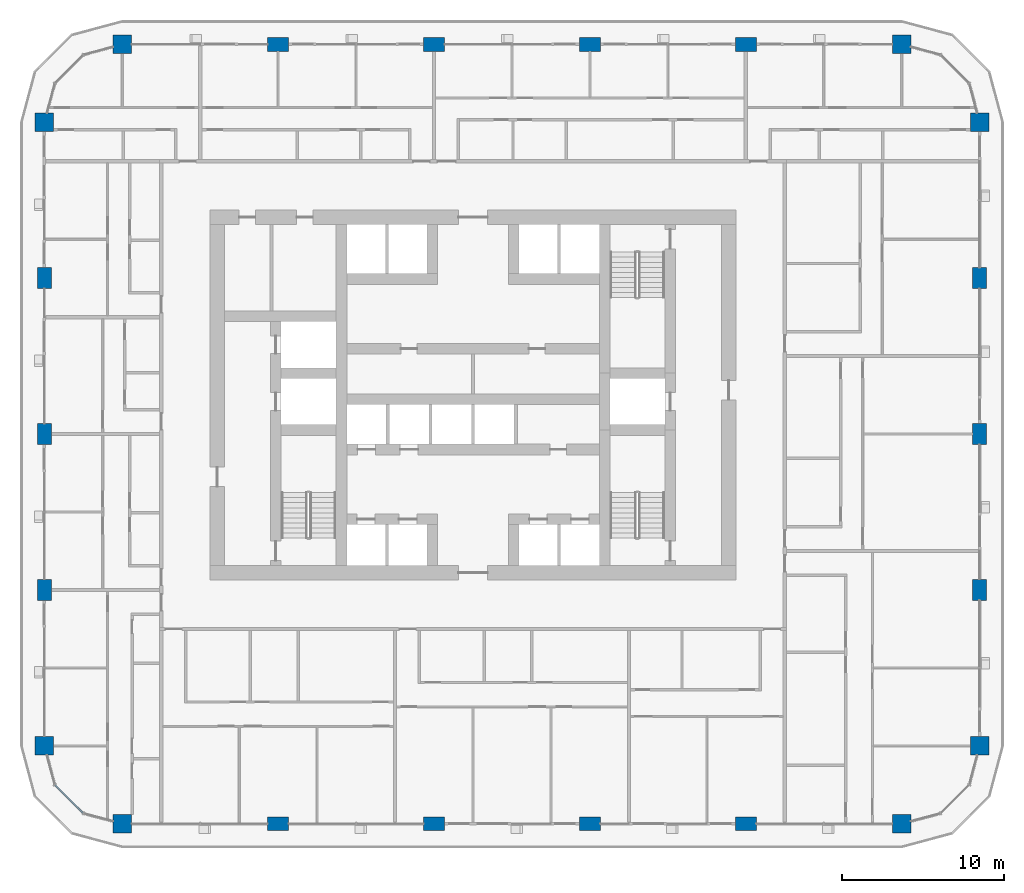
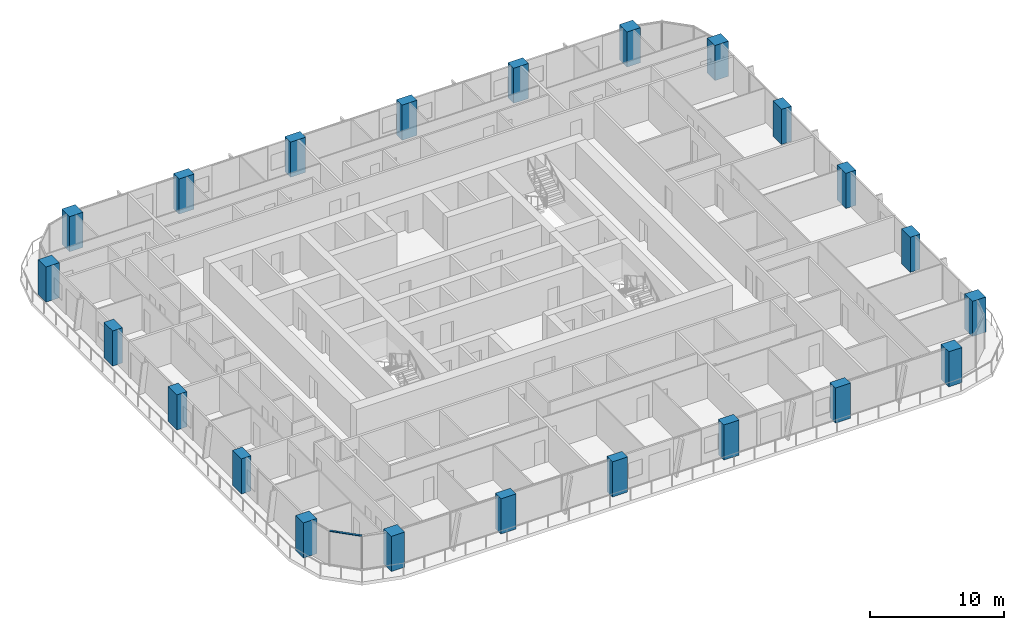
# One storey, part 1 of 22: 22 columns, 1 member, 1 element without a shape of its own.
"""IFC4 building model written with IfcOpenShell, lengths in metres."""

from ifc_helpers import new_model, si_unit, direction, frame, origin, origin_2d, place, context, subcontext, project, spatial, rectangle, extrude, material, layer, layer_set, material_profile, profile_set, type_object, element, aggregate, save


model = new_model("IFC4")

# Units and contexts
model_context = context("Model", 3, precision=1e-05, world=origin(), true_north=direction((0.0, 1.0)))
body_context = subcontext(model_context, "Body", "Model", "MODEL_VIEW")
ifc_project = project(units=[si_unit("LENGTHUNIT", "METRE"), si_unit("AREAUNIT", "SQUARE_METRE"), si_unit("VOLUMEUNIT", "CUBIC_METRE"), si_unit("PLANEANGLEUNIT", "RADIAN"), si_unit("MASSUNIT", "GRAM", prefix="KILO")], contexts=[model_context])

# Site, building, storey
site_placement = place(None, origin())
site = spatial("IfcSite", under=ifc_project, at=site_placement, CompositionType="ELEMENT")
building_placement = place(site_placement, origin())
building = spatial("IfcBuilding", under=site, at=building_placement, Name="Madar Terraces", CompositionType="ELEMENT")
storey_placement = place(building_placement, frame((0.0, 0.0, 62.800048828125)))
storey = spatial("IfcBuildingStorey", under=building, at=storey_placement, Name="L15", CompositionType="ELEMENT", Elevation=62.800048828125)

# Columns
ifc_material_1 = material(Name="Concrete C80/95", Category="concrete")
ifc_material_profile_1 = material_profile(ifc_material_1, rectangle(XDim=1.300048828125, YDim=0.85009765625, at=origin_2d()), Name="CC2 RC 1300x850")
ifc_profile_set_1 = profile_set([ifc_material_profile_1], Name="Concrete C80/95")
column_type_1 = type_object("IfcColumnType", Name="CC2 RC 1300x850", PredefinedType="COLUMN", material=ifc_profile_set_1)
for number, where, z_axis, x_axis, name in (
    (1, (19.199951171875, 0.0, 0.0), (0.0, 0.0, 1.0), (1.0, 0.0, 0.0), "Perimeter column S2"),
    (2, (28.800048828125, 0.0, 0.0), (0.0, 0.0, 1.0), (1.0, 0.0, 0.0), "Perimeter column S3"),
    (3, (38.39990234375, 0.0, 0.0), (0.0, 0.0, 1.0), (1.0, 0.0, 0.0), "Perimeter column S4"),
    (4, (48.0, 0.0, 0.0), (0.0, 0.0, 1.0), (1.0, 0.0, 0.0), "Perimeter column S5"),
    (5, (62.39990234375, 14.39990234375, 0.0), (0.0, 0.0, 1.0), (0.0, 1.0, 0.0), "Perimeter column E2"),
    (6, (62.39990234375, 24.0, 0.0), (0.0, 0.0, 1.0), (0.0, 1.0, 0.0), "Perimeter column E3"),
    (7, (62.39990234375, 33.60009765625, 0.0), (0.0, 0.0, 1.0), (0.0, 1.0, 0.0), "Perimeter column E4"),
    (8, (48.0, 48.0, 0.0), (0.0, 0.0, 1.0), (1.0, 0.0, 0.0), "Perimeter column N2"),
    (9, (38.39990234375, 48.0, 0.0), (0.0, 0.0, 1.0), (1.0, 0.0, 0.0), "Perimeter column N3"),
    (10, (28.800048828125, 48.0, 0.0), (0.0, 0.0, 1.0), (1.0, 0.0, 0.0), "Perimeter column N4"),
    (11, (19.199951171875, 48.0, 0.0), (0.0, 0.0, 1.0), (1.0, 0.0, 0.0), "Perimeter column N5"),
    (12, (4.800048828125, 33.60009765625, 0.0), (0.0, 0.0, 1.0), (0.0, 1.0, 0.0), "Perimeter column W2"),
    (13, (4.800048828125, 24.0, 0.0), (0.0, 0.0, 1.0), (0.0, 1.0, 0.0), "Perimeter column W3"),
    (14, (4.800048828125, 14.39990234375, 0.0), (0.0, 0.0, 1.0), (0.0, 1.0, 0.0), "Perimeter column W4"),
):
    element("IfcColumn", number, at=place(storey_placement, frame(where, z_axis=z_axis, x_axis=x_axis)), inside=storey, type_object=column_type_1, Name=name, PredefinedType="COLUMN", context=body_context, shape_type="SweptSolid", body=[
        extrude(rectangle(XDim=1.300048828125, YDim=0.85009765625, at=origin_2d()), origin(), (0.0, 0.0, 1.0), 3.199951171875),
    ])
ifc_material_2 = material(Name="Concrete C80/95", Category="concrete")
ifc_material_profile_2 = material_profile(ifc_material_2, rectangle(XDim=1.14990234375, YDim=1.14990234375, at=origin_2d()), Name="KC2 RC 1150x1150")
ifc_profile_set_2 = profile_set([ifc_material_profile_2], Name="Concrete C80/95")
column_type_2 = type_object("IfcColumnType", Name="KC2 RC 1150x1150", PredefinedType="COLUMN", material=ifc_profile_set_2)
for number, where, z_axis, x_axis, name in (
    (15, (9.60009765625, 0.0, 0.0), (0.0, 0.0, 1.0), (1.0, 0.0, 0.0), "Perimeter column S1"),
    (16, (57.60009765625, 0.0, 0.0), (0.0, 0.0, 1.0), (1.0, 0.0, 0.0), "Perimeter column S6"),
    (17, (62.39990234375, 4.800048828125, 0.0), (0.0, 0.0, 1.0), (1.0, 0.0, 0.0), "Perimeter column E1"),
    (18, (62.39990234375, 43.199951171875, 0.0), (0.0, 0.0, 1.0), (1.0, 0.0, 0.0), "Perimeter column E5"),
    (19, (57.60009765625, 48.0, 0.0), (0.0, 0.0, 1.0), (1.0, 0.0, 0.0), "Perimeter column N1"),
    (20, (9.60009765625, 48.0, 0.0), (0.0, 0.0, 1.0), (1.0, 0.0, 0.0), "Perimeter column N6"),
    (21, (4.800048828125, 43.199951171875, 0.0), (0.0, 0.0, 1.0), (1.0, 0.0, 0.0), "Perimeter column W1"),
    (22, (4.800048828125, 4.800048828125, 0.0), (0.0, 0.0, 1.0), (1.0, 0.0, 0.0), "Perimeter column W5"),
):
    element("IfcColumn", number, at=place(storey_placement, frame(where, z_axis=z_axis, x_axis=x_axis)), inside=storey, type_object=column_type_2, Name=name, PredefinedType="COLUMN", context=body_context, shape_type="SweptSolid", body=[
        extrude(rectangle(XDim=1.14990234375, YDim=1.14990234375, at=origin_2d()), origin(), (0.0, 0.0, 1.0), 3.199951171875),
    ])

# Curtain wall, member
ifc_material_3 = material(Name="Glass, ceramic frit dark grey, with black aluminium frame", Category="aluminium")
ifc_layer = layer(ifc_material_3, 0.199951171875)
ifc_layer_set = layer_set([ifc_layer], Name="Facade curtain wall, fritted glass")
curtain_wall_type = type_object("IfcCurtainWallType", Name="Facade curtain wall, fritted glass", PredefinedType="NOTDEFINED", material=ifc_layer_set)
curtain_wall_placement = place(storey_placement, origin())
curtain_wall = element("IfcCurtainWall", 23, at=curtain_wall_placement, inside=storey, type_object=curtain_wall_type, Name="Outer skin curtain wall south-west corner", PredefinedType="NOTDEFINED")
ifc_material_4 = material(Name="Aluminium, black anodised", Category="aluminium")
ifc_material_profile_3 = material_profile(ifc_material_4, rectangle(XDim=0.1201171875, YDim=0.06005859375, at=origin_2d()), Name="Facade transom 60x120")
ifc_profile_set_3 = profile_set([ifc_material_profile_3], Name="Aluminium, black anodised")
member_type = type_object("IfcMemberType", Name="Facade transom 60x120", PredefinedType="USERDEFINED", material=ifc_profile_set_3)
member_placement = place(storey_placement, frame((5.46435546875, 2.37890625, 3.169921875), z_axis=(0.707056433593, -0.707157125196, 0.0), x_axis=(0.707157125196, 0.707056433593, 0.0)))
member = element("IfcMember", 24, at=member_placement, type_object=member_type, Name="Transom 2", ObjectType="TRANSOM", PredefinedType="USERDEFINED", context=body_context, shape_type="SweptSolid", body=[
    extrude(rectangle(XDim=0.1201171875, YDim=0.06005859375, at=origin_2d()), origin(), (0.0, 0.0, 1.0), 2.424560546875),
])
aggregate(curtain_wall, [member])

save(model, "model.ifc")
